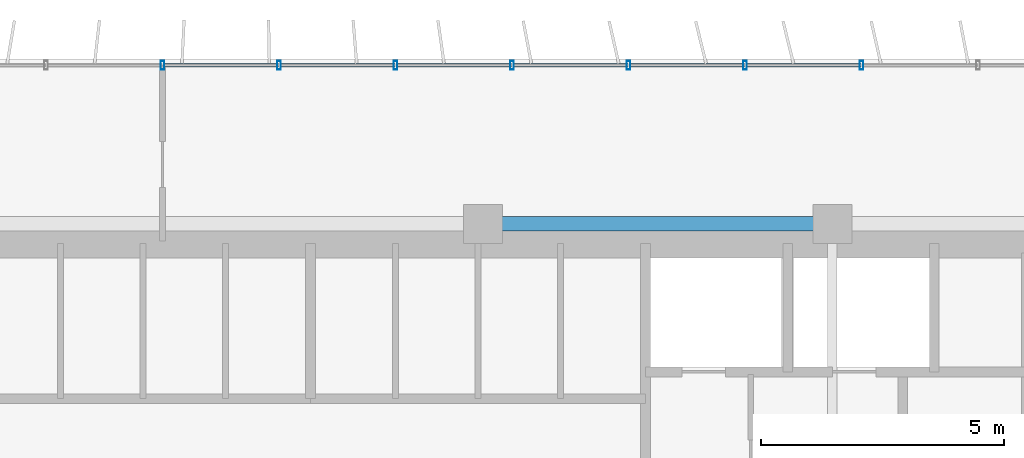
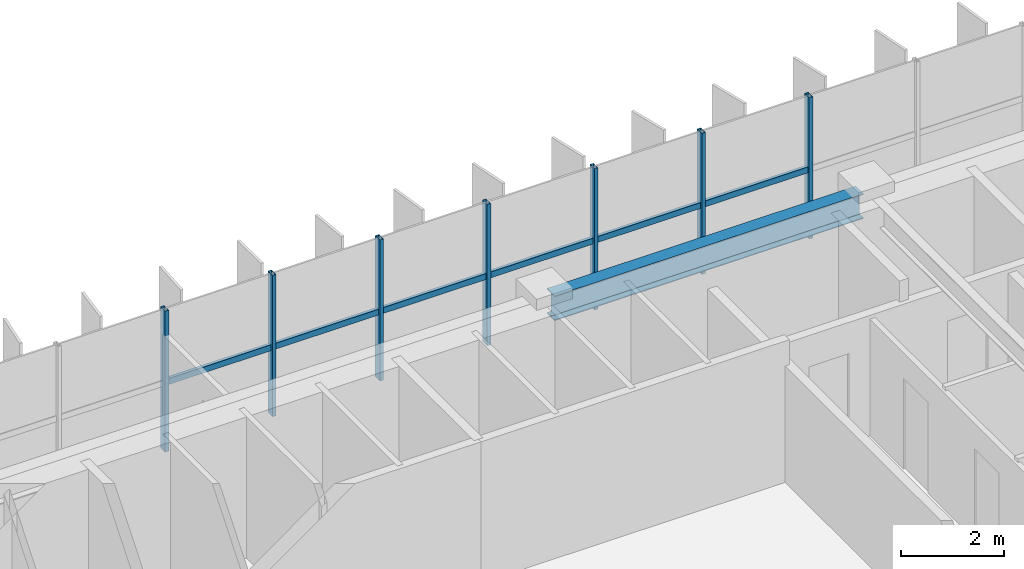
# One storey, part 13 of 26: 13 members, 1 beam, 1 element without a shape of its own.
"""IFC4 building model written with IfcOpenShell, lengths in metres."""

from ifc_helpers import new_model, si_unit, direction, frame, origin, origin_2d, place, context, subcontext, project, spatial, hollow_rectangle, i_section, extrude, source, transform, mapped, material, material_profile, profile_set, type_object, element, aggregate, save


model = new_model("IFC4")

# Units and contexts
model_context = context("Model", 3, precision=1e-05, world=origin(), true_north=direction((0.0, 1.0)))
body_context = subcontext(model_context, "Body", "Model", "MODEL_VIEW")
ifc_project = project(units=[si_unit("LENGTHUNIT", "METRE"), si_unit("AREAUNIT", "SQUARE_METRE"), si_unit("VOLUMEUNIT", "CUBIC_METRE"), si_unit("PLANEANGLEUNIT", "RADIAN"), si_unit("MASSUNIT", "GRAM", prefix="KILO")], contexts=[model_context])

# Site, building, storey
site_placement = place(None, origin())
site = spatial("IfcSite", under=ifc_project, at=site_placement, CompositionType="ELEMENT")
building_placement = place(site_placement, origin())
building = spatial("IfcBuilding", under=site, at=building_placement, Name="Trelvane Seafront Commons", CompositionType="ELEMENT")
storey_placement = place(building_placement, frame((0.0, 0.0, 124.89990234375)))
storey = spatial("IfcBuildingStorey", under=building, at=storey_placement, Name="L32", CompositionType="ELEMENT", Elevation=124.89990234375)

# Beam
ifc_material_1 = material(Name="Steel SM355 (S355)", Category="steel")
ifc_material_profile_1 = material_profile(ifc_material_1, i_section(OverallWidth=0.300048828125, OverallDepth=0.587890625, WebThickness=0.011962890625, FlangeThickness=0.02001953125, at=origin_2d()), Name="H-588x300x12x20")
ifc_profile_set_1 = profile_set([ifc_material_profile_1], Name="Steel SM355 (S355)")
beam_type = type_object("IfcBeamType", Name="STR-BM-H588", PredefinedType="BEAM", material=ifc_profile_set_1)
shared_shape_1 = source(origin(), body_context, "Body", "SweptSolid", [
    extrude(i_section(OverallWidth=0.300048828125, OverallDepth=0.587890625, WebThickness=0.011962890625, FlangeThickness=0.02001953125, at=origin_2d()), origin(), (0.0, 0.0, 1.0), 6.900146484375),
])
beam_placement = place(storey_placement, frame((43.949951171875, 45.10009765625, 3.046142578125), z_axis=(1.0, 0.0, 0.0), x_axis=(0.0, 1.0, 0.0)))
element("IfcBeam", 1, at=beam_placement, inside=storey, type_object=beam_type, Name="L32 Primary Girder G-33", PredefinedType="BEAM", context=body_context, shape_type="MappedRepresentation", body=[
    mapped(shared_shape_1, transform((0.0, 0.0, 0.0), x_axis=(1.0, 0.0, 0.0), y_axis=(0.0, 1.0, 0.0), z_axis=(0.0, 0.0, 1.0), scale=1.0)),
])

# Curtain wall, members
ifc_material_2 = material(Name="Anodised pale-silver aluminium", Category="aluminium")
curtain_wall_type = type_object("IfcCurtainWallType", Name="ARCH-CW4-SKYLOBBY", PredefinedType="NOTDEFINED", material=ifc_material_2)
curtain_wall_placement = place(storey_placement, origin())
curtain_wall = element("IfcCurtainWall", 2, at=curtain_wall_placement, inside=storey, type_object=curtain_wall_type, Name="CW-L32-0057", PredefinedType="NOTDEFINED")
ifc_material_profile_2 = material_profile(ifc_material_2, hollow_rectangle(XDim=0.074951171875, YDim=0.139892578125, WallThickness=0.00390625, at=origin_2d()), Name="TRAN-75x140x4")
ifc_profile_set_2 = profile_set([ifc_material_profile_2], Name="Anodised pale-silver aluminium")
member_type_1 = type_object("IfcMemberType", Name="ARCH-CW-TRAN-140", PredefinedType="USERDEFINED", material=ifc_profile_set_2)
shared_shape_2 = source(origin(), body_context, "Body", "SweptSolid", [
    extrude(hollow_rectangle(XDim=0.074951171875, YDim=0.139892578125, WallThickness=0.00390625, at=origin_2d()), origin(), (0.0, 0.0, 1.0), 2.3759765625),
])
member_1_placement = place(storey_placement, frame((37.2119140625, 48.3701171875, 1.60302734375), z_axis=(1.0, 0.0, 0.0), x_axis=(0.0, 1.0, 0.0)))
member_1 = element("IfcMember", 3, at=member_1_placement, type_object=member_type_1, Name="CW-L32-0057-T09", ObjectType="TRANSOM", PredefinedType="USERDEFINED", context=body_context, shape_type="MappedRepresentation", body=[
    mapped(shared_shape_2, transform((0.0, 0.0, 0.0), x_axis=(1.0, 0.0, 0.0), y_axis=(0.0, 1.0, 0.0), z_axis=(0.0, 0.0, 1.0), scale=1.0)),
])
member_2_placement = place(storey_placement, frame((39.612060546875, 48.3701171875, 1.60302734375), z_axis=(1.0, 0.0, 0.0), x_axis=(0.0, 1.0, 0.0)))
member_2 = element("IfcMember", 4, at=member_2_placement, type_object=member_type_1, Name="CW-L32-0057-T10", ObjectType="TRANSOM", PredefinedType="USERDEFINED", context=body_context, shape_type="MappedRepresentation", body=[
    mapped(shared_shape_2, transform((0.0, 0.0, 0.0), x_axis=(1.0, 0.0, 0.0), y_axis=(0.0, 1.0, 0.0), z_axis=(0.0, 0.0, 1.0), scale=1.0)),
])
member_3_placement = place(storey_placement, frame((42.011962890625, 48.3701171875, 1.60302734375), z_axis=(1.0, 0.0, 0.0), x_axis=(0.0, 1.0, 0.0)))
member_3 = element("IfcMember", 5, at=member_3_placement, type_object=member_type_1, Name="CW-L32-0057-T11", ObjectType="TRANSOM", PredefinedType="USERDEFINED", context=body_context, shape_type="MappedRepresentation", body=[
    mapped(shared_shape_2, transform((0.0, 0.0, 0.0), x_axis=(1.0, 0.0, 0.0), y_axis=(0.0, 1.0, 0.0), z_axis=(0.0, 0.0, 1.0), scale=1.0)),
])
member_4_placement = place(storey_placement, frame((44.412109375, 48.3701171875, 1.60302734375), z_axis=(1.0, 0.0, 0.0), x_axis=(0.0, 1.0, 0.0)))
member_4 = element("IfcMember", 6, at=member_4_placement, type_object=member_type_1, Name="CW-L32-0057-T12", ObjectType="TRANSOM", PredefinedType="USERDEFINED", context=body_context, shape_type="MappedRepresentation", body=[
    mapped(shared_shape_2, transform((0.0, 0.0, 0.0), x_axis=(1.0, 0.0, 0.0), y_axis=(0.0, 1.0, 0.0), z_axis=(0.0, 0.0, 1.0), scale=1.0)),
])
member_5_placement = place(storey_placement, frame((46.81201171875, 48.3701171875, 1.60302734375), z_axis=(1.0, 0.0, 0.0), x_axis=(0.0, 1.0, 0.0)))
member_5 = element("IfcMember", 7, at=member_5_placement, type_object=member_type_1, Name="CW-L32-0057-T13", ObjectType="TRANSOM", PredefinedType="USERDEFINED", context=body_context, shape_type="MappedRepresentation", body=[
    mapped(shared_shape_2, transform((0.0, 0.0, 0.0), x_axis=(1.0, 0.0, 0.0), y_axis=(0.0, 1.0, 0.0), z_axis=(0.0, 0.0, 1.0), scale=1.0)),
])
member_6_placement = place(storey_placement, frame((49.2119140625, 48.3701171875, 1.60302734375), z_axis=(1.0, 0.0, 0.0), x_axis=(0.0, 1.0, 0.0)))
member_6 = element("IfcMember", 8, at=member_6_placement, type_object=member_type_1, Name="CW-L32-0057-T14", ObjectType="TRANSOM", PredefinedType="USERDEFINED", context=body_context, shape_type="MappedRepresentation", body=[
    mapped(shared_shape_2, transform((0.0, 0.0, 0.0), x_axis=(1.0, 0.0, 0.0), y_axis=(0.0, 1.0, 0.0), z_axis=(0.0, 0.0, 1.0), scale=1.0)),
])
ifc_material_profile_3 = material_profile(ifc_material_2, hollow_rectangle(XDim=0.080078125, YDim=0.179931640625, WallThickness=0.00439453125, at=origin_2d()), Name="MULL-80x180x4.5")
ifc_profile_set_3 = profile_set([ifc_material_profile_3], Name="Anodised pale-silver aluminium")
member_type_2 = type_object("IfcMemberType", Name="ARCH-CW-MULL-180", PredefinedType="MULLION", material=ifc_profile_set_3)
shared_shape_3 = source(origin(), body_context, "Body", "SweptSolid", [
    extrude(hollow_rectangle(XDim=0.080078125, YDim=0.179931640625, WallThickness=0.00439453125, at=origin_2d()), origin(), (0.0, 0.0, 1.0), 3.340087890625),
])
member_7_placement = place(storey_placement, frame((37.199951171875, 48.3701171875, 0.0), z_axis=(0.0, 0.0, 1.0), x_axis=(1.0, 0.0, 0.0)))
member_7 = element("IfcMember", 9, at=member_7_placement, type_object=member_type_2, Name="CW-L32-0057-M09", PredefinedType="MULLION", context=body_context, shape_type="MappedRepresentation", body=[
    mapped(shared_shape_3, transform((0.0, 0.0, 0.0), x_axis=(1.0, 0.0, 0.0), y_axis=(0.0, 1.0, 0.0), z_axis=(0.0, 0.0, 1.0), scale=1.0)),
])
member_8_placement = place(storey_placement, frame((39.60009765625, 48.3701171875, 0.0), z_axis=(0.0, 0.0, 1.0), x_axis=(1.0, 0.0, 0.0)))
member_8 = element("IfcMember", 10, at=member_8_placement, type_object=member_type_2, Name="CW-L32-0057-M10", PredefinedType="MULLION", context=body_context, shape_type="MappedRepresentation", body=[
    mapped(shared_shape_3, transform((0.0, 0.0, 0.0), x_axis=(1.0, 0.0, 0.0), y_axis=(0.0, 1.0, 0.0), z_axis=(0.0, 0.0, 1.0), scale=1.0)),
])
member_9_placement = place(storey_placement, frame((42.0, 48.3701171875, 0.0), z_axis=(0.0, 0.0, 1.0), x_axis=(1.0, 0.0, 0.0)))
member_9 = element("IfcMember", 11, at=member_9_placement, type_object=member_type_2, Name="CW-L32-0057-M11", PredefinedType="MULLION", context=body_context, shape_type="MappedRepresentation", body=[
    mapped(shared_shape_3, transform((0.0, 0.0, 0.0), x_axis=(1.0, 0.0, 0.0), y_axis=(0.0, 1.0, 0.0), z_axis=(0.0, 0.0, 1.0), scale=1.0)),
])
member_10_placement = place(storey_placement, frame((44.39990234375, 48.3701171875, 0.0), z_axis=(0.0, 0.0, 1.0), x_axis=(1.0, 0.0, 0.0)))
member_10 = element("IfcMember", 12, at=member_10_placement, type_object=member_type_2, Name="CW-L32-0057-M12", PredefinedType="MULLION", context=body_context, shape_type="MappedRepresentation", body=[
    mapped(shared_shape_3, transform((0.0, 0.0, 0.0), x_axis=(1.0, 0.0, 0.0), y_axis=(0.0, 1.0, 0.0), z_axis=(0.0, 0.0, 1.0), scale=1.0)),
])
member_11_placement = place(storey_placement, frame((46.800048828125, 48.3701171875, 0.0), z_axis=(0.0, 0.0, 1.0), x_axis=(1.0, 0.0, 0.0)))
member_11 = element("IfcMember", 13, at=member_11_placement, type_object=member_type_2, Name="CW-L32-0057-M13", PredefinedType="MULLION", context=body_context, shape_type="MappedRepresentation", body=[
    mapped(shared_shape_3, transform((0.0, 0.0, 0.0), x_axis=(1.0, 0.0, 0.0), y_axis=(0.0, 1.0, 0.0), z_axis=(0.0, 0.0, 1.0), scale=1.0)),
])
member_12_placement = place(storey_placement, frame((49.199951171875, 48.3701171875, 0.0), z_axis=(0.0, 0.0, 1.0), x_axis=(1.0, 0.0, 0.0)))
member_12 = element("IfcMember", 14, at=member_12_placement, type_object=member_type_2, Name="CW-L32-0057-M14", PredefinedType="MULLION", context=body_context, shape_type="MappedRepresentation", body=[
    mapped(shared_shape_3, transform((0.0, 0.0, 0.0), x_axis=(1.0, 0.0, 0.0), y_axis=(0.0, 1.0, 0.0), z_axis=(0.0, 0.0, 1.0), scale=1.0)),
])
member_13_placement = place(storey_placement, frame((51.60009765625, 48.3701171875, 0.0), z_axis=(0.0, 0.0, 1.0), x_axis=(1.0, 0.0, 0.0)))
member_13 = element("IfcMember", 15, at=member_13_placement, type_object=member_type_2, Name="CW-L32-0057-M15", PredefinedType="MULLION", context=body_context, shape_type="MappedRepresentation", body=[
    mapped(shared_shape_3, transform((0.0, 0.0, 0.0), x_axis=(1.0, 0.0, 0.0), y_axis=(0.0, 1.0, 0.0), z_axis=(0.0, 0.0, 1.0), scale=1.0)),
])
aggregate(curtain_wall, [member_7, member_8, member_9, member_10, member_11, member_12, member_13, member_1, member_2, member_3, member_4, member_5, member_6])

save(model, "model.ifc")
